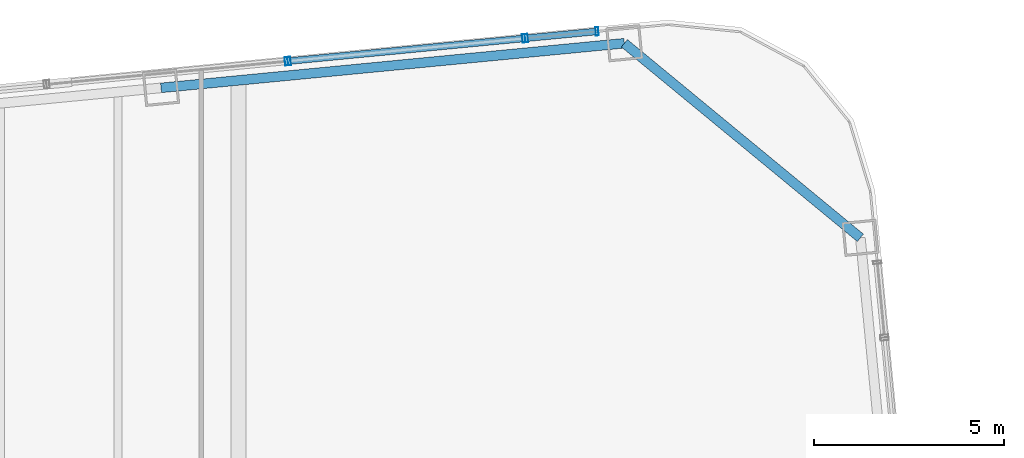
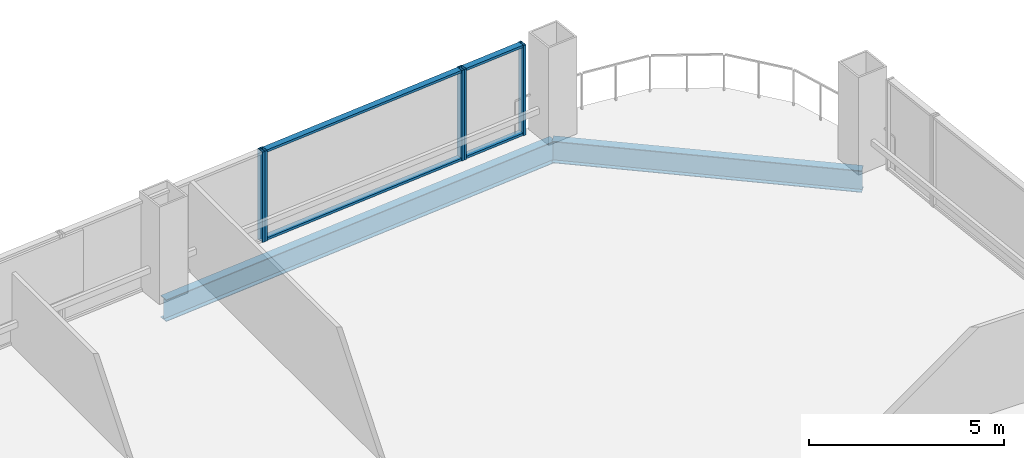
# One storey, part 27 of 34: 9 members, 2 beams, 3 elements without a shape of their own.
"""IFC4 building model written with IfcOpenShell, lengths in metres."""

from ifc_helpers import new_model, si_unit, direction, frame, origin, origin_2d, place, context, subcontext, project, spatial, hollow_rectangle, i_section, extrude, material, layer, layer_set, material_profile, profile_set, type_object, element, aggregate, save


model = new_model("IFC4")

# Units and contexts
model_context = context("Model", 3, precision=1e-05, world=origin(), true_north=direction((0.0, 1.0)))
body_context = subcontext(model_context, "Body", "Model", "MODEL_VIEW")
ifc_project = project(units=[si_unit("LENGTHUNIT", "METRE"), si_unit("AREAUNIT", "SQUARE_METRE"), si_unit("VOLUMEUNIT", "CUBIC_METRE"), si_unit("PLANEANGLEUNIT", "RADIAN"), si_unit("MASSUNIT", "GRAM", prefix="KILO")], contexts=[model_context])

# Site, building, storey
site_placement = place(None, origin())
site = spatial("IfcSite", under=ifc_project, at=site_placement, CompositionType="ELEMENT")
building_placement = place(site_placement, origin())
building = spatial("IfcBuilding", under=site, at=building_placement, Name="Qhalaya Broadcast Tower", CompositionType="ELEMENT")
storey_placement = place(building_placement, frame((0.0, 0.0, 78.60009765625)))
storey = spatial("IfcBuildingStorey", under=building, at=storey_placement, Name="L22", CompositionType="ELEMENT", Elevation=78.60009765625)

# Beams
ifc_material_1 = material(Name="Structural Steel ASTM A992 Grade 50", Category="steel")
ifc_material_profile_1 = material_profile(ifc_material_1, i_section(OverallWidth=0.25390625, OverallDepth=0.68310546875, WebThickness=0.012451171875, FlangeThickness=0.01904296875, at=origin_2d()), Name="W27X94")
ifc_profile_set_1 = profile_set([ifc_material_profile_1], Name="Structural Steel ASTM A992 Grade 50")
beam_type = type_object("IfcBeamType", Name="Perimeter Ring Spandrel Beam SP1", PredefinedType="SPANDREL", material=ifc_profile_set_1)
beam_1_placement = place(storey_placement, frame((25.765380859375, 24.165283203125, -0.5615234375), z_axis=(-0.771633771695, 0.636067073806, 0.0), x_axis=(-0.636067073806, -0.771633771695, 0.0)))
element("IfcBeam", 1, at=beam_1_placement, inside=storey, type_object=beam_type, Name="L22 SP1 L22-SPR-08", PredefinedType="SPANDREL", context=body_context, shape_type="SweptSolid", body=[
    extrude(i_section(OverallWidth=0.25390625, OverallDepth=0.68310546875, WebThickness=0.012451171875, FlangeThickness=0.01904296875, at=origin_2d()), origin(), (0.0, 0.0, 1.0), 8.060791015625),
])
beam_2_placement = place(storey_placement, frame((19.54541015625, 29.29248046875, -0.5615234375), z_axis=(-0.995397535354, -0.095831866369, 0.0), x_axis=(0.095831866369, -0.995397535354, 0.0)))
element("IfcBeam", 2, at=beam_2_placement, inside=storey, type_object=beam_type, Name="L22 SP1 L22-SPR-09", PredefinedType="SPANDREL", context=body_context, shape_type="SweptSolid", body=[
    extrude(i_section(OverallWidth=0.25390625, OverallDepth=0.68310546875, WebThickness=0.012451171875, FlangeThickness=0.01904296875, at=origin_2d()), origin(), (0.0, 0.0, 1.0), 12.2666015625),
])

# Curtain wall, members
ifc_material_2 = material(Name="Solar-Control Low-E Triple Glazing", Category="glass")
ifc_layer_1 = layer(ifc_material_2, 0.219970703125, Name="Solar-Control Low-E Triple Glazing")
ifc_layer_set_1 = layer_set([ifc_layer_1], Name="Solar-Control Low-E Triple Glazing")
curtain_wall_type_1 = type_object("IfcCurtainWallType", Name="Even-Block 4-Storey Double-Module Curtain Wall CW-03", PredefinedType="NOTDEFINED", material=ifc_layer_set_1)
curtain_wall_1_placement = place(storey_placement, origin())
curtain_wall_1 = element("IfcCurtainWall", 3, at=curtain_wall_1_placement, inside=storey, type_object=curtain_wall_type_1, Name="L22 Unitised Curtain Wall L22-CW-N1", PredefinedType="NOTDEFINED")
ifc_material_3 = material(Name="Anodised Aluminium 6063-T6", Category="aluminium")
ifc_material_profile_2 = material_profile(ifc_material_3, hollow_rectangle(XDim=0.074951171875, YDim=0.219970703125, WallThickness=0.00390625, at=origin_2d()), Name="ALU-MUL 75x220x4")
ifc_profile_set_2 = profile_set([ifc_material_profile_2], Name="Anodised Aluminium 6063-T6")
member_type_1 = type_object("IfcMemberType", Name="Unitised Curtain-Wall Mullion M01", PredefinedType="MULLION", material=ifc_profile_set_2)
member_1_placement = place(storey_placement, frame((18.82470703125, 29.60498046875, 0.0), z_axis=(0.0, 0.0, 1.0), x_axis=(-0.99539780127, -0.095829104278, 0.0)))
member_1 = element("IfcMember", 4, at=member_1_placement, type_object=member_type_1, Name="CW-03 mullion 1", PredefinedType="MULLION", context=body_context, shape_type="SweptSolid", body=[
    extrude(hollow_rectangle(XDim=0.074951171875, YDim=0.219970703125, WallThickness=0.00390625, at=origin_2d()), origin(), (0.0, 0.0, 1.0), 2.829833984375),
])
member_2_placement = place(storey_placement, frame((16.96533203125, 29.426025390625, 0.0), z_axis=(0.0, 0.0, 1.0), x_axis=(-0.99539780127, -0.095829104278, 0.0)))
member_2 = element("IfcMember", 5, at=member_2_placement, type_object=member_type_1, Name="CW-03 mullion 2", PredefinedType="MULLION", context=body_context, shape_type="SweptSolid", body=[
    extrude(hollow_rectangle(XDim=0.074951171875, YDim=0.219970703125, WallThickness=0.00390625, at=origin_2d()), origin(), (0.0, 0.0, 1.0), 2.829833984375),
])

ifc_material_4 = material(Name="Fired Architectural Terracotta", Category="masonry")
ifc_layer_2 = layer(ifc_material_4, 0.219970703125, Name="Fired Architectural Terracotta")
ifc_layer_set_2 = layer_set([ifc_layer_2], Name="Fired Architectural Terracotta")
curtain_wall_type_2 = type_object("IfcCurtainWallType", Name="Block-Cap Unitised Terracotta Spandrel Wall CW-07", PredefinedType="NOTDEFINED", material=ifc_layer_set_2)
curtain_wall_2_placement = place(storey_placement, origin())
curtain_wall_2 = element("IfcCurtainWall", 6, at=curtain_wall_2_placement, inside=storey, type_object=curtain_wall_type_2, Name="L22 Unitised Curtain Wall L22-CW-N2", PredefinedType="NOTDEFINED")
member_3_placement = place(storey_placement, frame((16.890625, 29.418701171875, 0.0), z_axis=(0.0, 0.0, 1.0), x_axis=(-0.995394666059, -0.095861664819, 0.0)))
member_3 = element("IfcMember", 7, at=member_3_placement, type_object=member_type_1, Name="CW-07 mullion 1", PredefinedType="MULLION", context=body_context, shape_type="SweptSolid", body=[
    extrude(hollow_rectangle(XDim=0.074951171875, YDim=0.219970703125, WallThickness=0.00390625, at=origin_2d()), origin(), (0.0, 0.0, 1.0), 2.829833984375),
])
member_4_placement = place(storey_placement, frame((10.713134765625, 28.823974609375, 0.0), z_axis=(0.0, 0.0, 1.0), x_axis=(-0.995394666059, -0.095861664819, 0.0)))
member_4 = element("IfcMember", 8, at=member_4_placement, type_object=member_type_1, Name="CW-07 mullion 2", PredefinedType="MULLION", context=body_context, shape_type="SweptSolid", body=[
    extrude(hollow_rectangle(XDim=0.074951171875, YDim=0.219970703125, WallThickness=0.00390625, at=origin_2d()), origin(), (0.0, 0.0, 1.0), 2.829833984375),
])

# Curtain wall, member
curtain_wall_3_placement = place(storey_placement, origin())
curtain_wall_3 = element("IfcCurtainWall", 9, at=curtain_wall_3_placement, inside=storey, type_object=curtain_wall_type_1, Name="L22 Unitised Curtain Wall L22-CW-N3", PredefinedType="NOTDEFINED")
member_5_placement = place(storey_placement, frame((10.638671875, 28.816650390625, 0.0), z_axis=(0.0, 0.0, 1.0), x_axis=(-0.99539731409, -0.095834164588, 0.0)))
member_5 = element("IfcMember", 10, at=member_5_placement, type_object=member_type_1, Name="CW-03 mullion 1", PredefinedType="MULLION", context=body_context, shape_type="SweptSolid", body=[
    extrude(hollow_rectangle(XDim=0.074951171875, YDim=0.219970703125, WallThickness=0.00390625, at=origin_2d()), origin(), (0.0, 0.0, 1.0), 2.829833984375),
])
aggregate(curtain_wall_3, [member_5])

# Member
ifc_material_profile_3 = material_profile(ifc_material_3, hollow_rectangle(XDim=0.074951171875, YDim=0.179931640625, WallThickness=0.00390625, at=origin_2d()), Name="ALU-TRN 75x180x4")
ifc_profile_set_3 = profile_set([ifc_material_profile_3], Name="Anodised Aluminium 6063-T6")
member_type_2 = type_object("IfcMemberType", Name="Unitised Curtain-Wall Transom T01", PredefinedType="USERDEFINED", material=ifc_profile_set_3)
member_6_placement = place(storey_placement, frame((18.787353515625, 29.601318359375, 0.037353515625), z_axis=(-0.995408779643, -0.09571500097, 0.0), x_axis=(0.0, 0.0, 1.0)))
member_6 = element("IfcMember", 11, at=member_6_placement, type_object=member_type_2, Name="CW-03 transom 1.1", ObjectType="TRANSOM", PredefinedType="USERDEFINED", context=body_context, shape_type="SweptSolid", body=[
    extrude(hollow_rectangle(XDim=0.074951171875, YDim=0.179931640625, WallThickness=0.00390625, at=origin_2d()), origin(), (0.0, 0.0, 1.0), 1.793212890625),
])

member_7_placement = place(storey_placement, frame((18.787353515625, 29.601318359375, 2.79248046875), z_axis=(-0.995408779643, -0.09571500097, 0.0), x_axis=(0.0, 0.0, 1.0)))
member_7 = element("IfcMember", 12, at=member_7_placement, type_object=member_type_2, Name="CW-03 transom 1.2", ObjectType="TRANSOM", PredefinedType="USERDEFINED", context=body_context, shape_type="SweptSolid", body=[
    extrude(hollow_rectangle(XDim=0.074951171875, YDim=0.179931640625, WallThickness=0.00390625, at=origin_2d()), origin(), (0.0, 0.0, 1.0), 1.793212890625),
])

aggregate(curtain_wall_1, [member_1, member_2, member_6, member_7])

member_8_placement = place(storey_placement, frame((16.853271484375, 29.415283203125, 0.037353515625), z_axis=(-0.995392160376, -0.095887679409, 0.0), x_axis=(0.0, 0.0, 1.0)))
member_8 = element("IfcMember", 13, at=member_8_placement, type_object=member_type_2, Name="CW-07 transom 1.1", ObjectType="TRANSOM", PredefinedType="USERDEFINED", context=body_context, shape_type="SweptSolid", body=[
    extrude(hollow_rectangle(XDim=0.074951171875, YDim=0.179931640625, WallThickness=0.00390625, at=origin_2d()), origin(), (0.0, 0.0, 1.0), 6.131103515625),
])

member_9_placement = place(storey_placement, frame((16.853271484375, 29.415283203125, 2.79248046875), z_axis=(-0.995392160376, -0.095887679409, 0.0), x_axis=(0.0, 0.0, 1.0)))
member_9 = element("IfcMember", 14, at=member_9_placement, type_object=member_type_2, Name="CW-07 transom 1.2", ObjectType="TRANSOM", PredefinedType="USERDEFINED", context=body_context, shape_type="SweptSolid", body=[
    extrude(hollow_rectangle(XDim=0.074951171875, YDim=0.179931640625, WallThickness=0.00390625, at=origin_2d()), origin(), (0.0, 0.0, 1.0), 6.131103515625),
])

aggregate(curtain_wall_2, [member_3, member_4, member_8, member_9])

save(model, "model.ifc")
